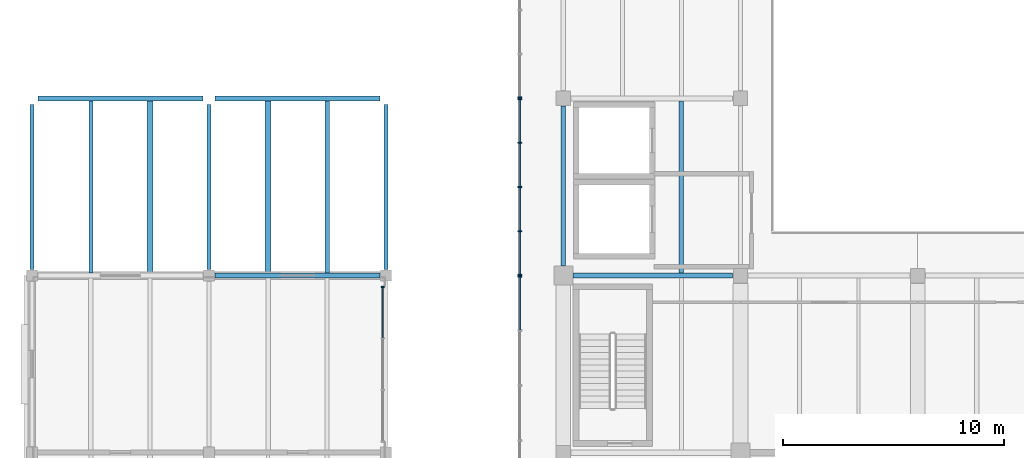
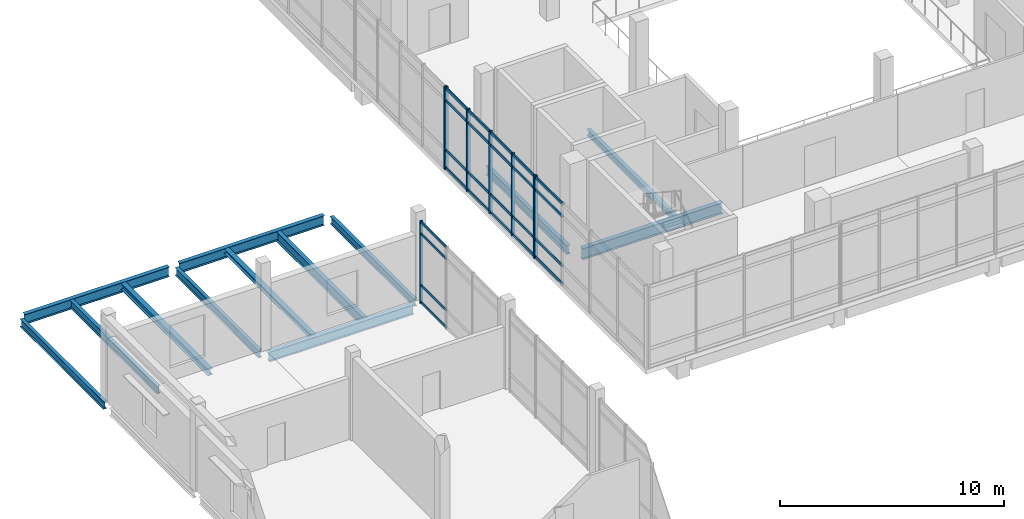
# One storey, part 5 of 28: 32 members, 13 beams, 4 elements without a shape of their own.
"""IFC4 building model written with IfcOpenShell, lengths in metres."""

from ifc_helpers import new_model, si_unit, direction, frame, origin, origin_2d, place, context, subcontext, project, spatial, rectangle, i_section, extrude, material, material_profile, profile_set, type_object, element, aggregate, save


model = new_model("IFC4")

# Units and contexts
model_context = context("Model", 3, precision=1e-05, world=origin(), true_north=direction((0.0, 1.0)))
body_context = subcontext(model_context, "Body", "Model", "MODEL_VIEW")
ifc_project = project(units=[si_unit("LENGTHUNIT", "METRE"), si_unit("AREAUNIT", "SQUARE_METRE"), si_unit("VOLUMEUNIT", "CUBIC_METRE"), si_unit("PLANEANGLEUNIT", "RADIAN"), si_unit("MASSUNIT", "GRAM", prefix="KILO")], contexts=[model_context])

# Site, building, storey
site_placement = place(None, origin())
site = spatial("IfcSite", under=ifc_project, at=site_placement, CompositionType="ELEMENT")
building_placement = place(site_placement, origin())
building = spatial("IfcBuilding", under=site, at=building_placement, Name="Pecanmere Concourse Central Library", CompositionType="ELEMENT")
storey_placement = place(building_placement, frame((0.0, 0.0, 20.10009765625)))
storey = spatial("IfcBuildingStorey", under=building, at=storey_placement, Name="L05", CompositionType="ELEMENT", Elevation=20.10009765625)

# Curtain wall, member
ifc_material_1 = material(Name="Clear anodized aluminium alloy 6063-T6", Category="aluminium")
curtain_wall_type_1 = type_object("IfcCurtainWallType", Name="CW_CLOISTER_GLAZ", PredefinedType="USERDEFINED", material=ifc_material_1)
curtain_wall_1_placement = place(storey_placement, origin())
curtain_wall_1 = element("IfcCurtainWall", 1, at=curtain_wall_1_placement, inside=storey, type_object=curtain_wall_type_1, Name="Unitised Curtain Wall CW-04 L05-162", ObjectType="UNITISED CURTAIN WALL", PredefinedType="USERDEFINED")
ifc_material_2 = material(Name="Clear anodized aluminium alloy 6063-T6", Category="aluminium")
ifc_material_profile_1 = material_profile(ifc_material_2, rectangle(XDim=0.06005859375, YDim=0.14990234375, at=origin_2d()), Name="AL 60x150")
ifc_profile_set_1 = profile_set([ifc_material_profile_1], Name="Clear anodized aluminium alloy 6063-T6")
member_type_1 = type_object("IfcMemberType", Name="CWM_150x60", PredefinedType="MULLION", material=ifc_profile_set_1)
member_1_placement = place(storey_placement, frame((63.85009765625, 97.489990234375, 0.0), z_axis=(0.0, 0.0, 1.0), x_axis=(0.0, 1.0, 0.0)))
member_1 = element("IfcMember", 2, at=member_1_placement, type_object=member_type_1, Name="CW-04 Mullion 4", PredefinedType="MULLION", context=body_context, shape_type="SweptSolid", body=[
    extrude(rectangle(XDim=0.06005859375, YDim=0.14990234375, at=origin_2d()), origin(), (0.0, 0.0, 1.0), 4.5),
])

ifc_material_3 = material(Name="Anodized bronze aluminium alloy 6063-T6", Category="aluminium")
curtain_wall_type_2 = type_object("IfcCurtainWallType", Name="CW_PLUMB_BANDED", PredefinedType="USERDEFINED", material=ifc_material_3)
curtain_wall_2_placement = place(storey_placement, origin())
curtain_wall_2 = element("IfcCurtainWall", 3, at=curtain_wall_2_placement, inside=storey, type_object=curtain_wall_type_2, Name="Unitised Curtain Wall CW-02 L05-067", ObjectType="UNITISED CURTAIN WALL", PredefinedType="USERDEFINED")
ifc_material_4 = material(Name="Anodized bronze aluminium alloy 6063-T6", Category="aluminium")
ifc_material_profile_2 = material_profile(ifc_material_4, rectangle(XDim=0.06494140625, YDim=0.179931640625, at=origin_2d()), Name="AL 65x180")
ifc_profile_set_2 = profile_set([ifc_material_profile_2], Name="Anodized bronze aluminium alloy 6063-T6")
member_type_2 = type_object("IfcMemberType", Name="CWM_180x65", PredefinedType="MULLION", material=ifc_profile_set_2)
member_2_placement = place(storey_placement, frame((70.03857421875, 106.03759765625, 0.0), z_axis=(0.0, 0.0, 1.0), x_axis=(0.0, -1.0, 0.0)))
member_2 = element("IfcMember", 4, at=member_2_placement, type_object=member_type_2, Name="CW-02 Mullion 5", PredefinedType="MULLION", context=body_context, shape_type="SweptSolid", body=[
    extrude(rectangle(XDim=0.06494140625, YDim=0.179931640625, at=origin_2d()), origin(), (0.0, 0.0, 1.0), 4.5),
])
aggregate(curtain_wall_2, [member_2])

# Curtain wall, members
curtain_wall_3_placement = place(storey_placement, origin())
curtain_wall_3 = element("IfcCurtainWall", 5, at=curtain_wall_3_placement, inside=storey, type_object=curtain_wall_type_2, Name="Unitised Curtain Wall CW-02 L05-068", ObjectType="UNITISED CURTAIN WALL", PredefinedType="USERDEFINED")
member_3_placement = place(storey_placement, frame((70.03857421875, 105.96240234375, 0.0), z_axis=(0.0, 0.0, 1.0), x_axis=(0.0, -1.0, 0.0)))
member_3 = element("IfcMember", 6, at=member_3_placement, type_object=member_type_2, Name="CW-02 Mullion 1", PredefinedType="MULLION", context=body_context, shape_type="SweptSolid", body=[
    extrude(rectangle(XDim=0.06494140625, YDim=0.179931640625, at=origin_2d()), origin(), (0.0, 0.0, 1.0), 4.5),
])
member_4_placement = place(storey_placement, frame((70.03857421875, 103.99755859375, 0.0), z_axis=(0.0, 0.0, 1.0), x_axis=(0.0, -1.0, 0.0)))
member_4 = element("IfcMember", 7, at=member_4_placement, type_object=member_type_2, Name="CW-02 Mullion 2", PredefinedType="MULLION", context=body_context, shape_type="SweptSolid", body=[
    extrude(rectangle(XDim=0.06494140625, YDim=0.179931640625, at=origin_2d()), origin(), (0.0, 0.0, 1.0), 4.5),
])
member_5_placement = place(storey_placement, frame((70.03857421875, 102.0, 0.0), z_axis=(0.0, 0.0, 1.0), x_axis=(0.0, -1.0, 0.0)))
member_5 = element("IfcMember", 8, at=member_5_placement, type_object=member_type_2, Name="CW-02 Mullion 3", PredefinedType="MULLION", context=body_context, shape_type="SweptSolid", body=[
    extrude(rectangle(XDim=0.06494140625, YDim=0.179931640625, at=origin_2d()), origin(), (0.0, 0.0, 1.0), 4.5),
])
member_6_placement = place(storey_placement, frame((70.03857421875, 100.00244140625, 0.0), z_axis=(0.0, 0.0, 1.0), x_axis=(0.0, -1.0, 0.0)))
member_6 = element("IfcMember", 9, at=member_6_placement, type_object=member_type_2, Name="CW-02 Mullion 4", PredefinedType="MULLION", context=body_context, shape_type="SweptSolid", body=[
    extrude(rectangle(XDim=0.06494140625, YDim=0.179931640625, at=origin_2d()), origin(), (0.0, 0.0, 1.0), 4.5),
])
member_7_placement = place(storey_placement, frame((70.03857421875, 98.03759765625, 0.0), z_axis=(0.0, 0.0, 1.0), x_axis=(0.0, -1.0, 0.0)))
member_7 = element("IfcMember", 10, at=member_7_placement, type_object=member_type_2, Name="CW-02 Mullion 5", PredefinedType="MULLION", context=body_context, shape_type="SweptSolid", body=[
    extrude(rectangle(XDim=0.06494140625, YDim=0.179931640625, at=origin_2d()), origin(), (0.0, 0.0, 1.0), 4.5),
])

# Curtain wall, member
curtain_wall_4_placement = place(storey_placement, origin())
curtain_wall_4 = element("IfcCurtainWall", 11, at=curtain_wall_4_placement, inside=storey, type_object=curtain_wall_type_2, Name="Unitised Curtain Wall CW-02 L05-069", ObjectType="UNITISED CURTAIN WALL", PredefinedType="USERDEFINED")
member_8_placement = place(storey_placement, frame((70.03857421875, 97.96240234375, 0.0), z_axis=(0.0, 0.0, 1.0), x_axis=(0.0, -1.0, 0.0)))
member_8 = element("IfcMember", 12, at=member_8_placement, type_object=member_type_2, Name="CW-02 Mullion 1", PredefinedType="MULLION", context=body_context, shape_type="SweptSolid", body=[
    extrude(rectangle(XDim=0.06494140625, YDim=0.179931640625, at=origin_2d()), origin(), (0.0, 0.0, 1.0), 4.5),
])

# Member
ifc_material_5 = material(Name="Clear anodized aluminium alloy 6063-T6", Category="aluminium")
ifc_material_profile_3 = material_profile(ifc_material_5, rectangle(XDim=0.054931640625, YDim=0.139892578125, at=origin_2d()), Name="AL 55x140")
ifc_profile_set_3 = profile_set([ifc_material_profile_3], Name="Clear anodized aluminium alloy 6063-T6")
member_type_3 = type_object("IfcMemberType", Name="CWT_140x55", PredefinedType="USERDEFINED", material=ifc_profile_set_3)
member_9_placement = place(storey_placement, frame((63.85009765625, 95.203369140625, 0.06982421875), z_axis=(0.0, 1.0, 0.0), x_axis=(-1.0, 0.0, 0.0)))
member_9 = element("IfcMember", 13, at=member_9_placement, type_object=member_type_3, Name="CW-04 Transom 3.1", ObjectType="TRANSOM", PredefinedType="USERDEFINED", context=body_context, shape_type="SweptSolid", body=[
    extrude(rectangle(XDim=0.054931640625, YDim=0.139892578125, at=origin_2d()), origin(), (0.0, 0.0, 1.0), 2.256591796875),
])

member_10_placement = place(storey_placement, frame((63.85009765625, 95.203369140625, 1.0), z_axis=(0.0, 1.0, 0.0), x_axis=(-1.0, 0.0, 0.0)))
member_10 = element("IfcMember", 14, at=member_10_placement, type_object=member_type_3, Name="CW-04 Transom 3.2", ObjectType="TRANSOM", PredefinedType="USERDEFINED", context=body_context, shape_type="SweptSolid", body=[
    extrude(rectangle(XDim=0.054931640625, YDim=0.139892578125, at=origin_2d()), origin(), (0.0, 0.0, 1.0), 2.256591796875),
])

member_11_placement = place(storey_placement, frame((63.85009765625, 95.203369140625, 3.7998046875), z_axis=(0.0, 1.0, 0.0), x_axis=(-1.0, 0.0, 0.0)))
member_11 = element("IfcMember", 15, at=member_11_placement, type_object=member_type_3, Name="CW-04 Transom 3.3", ObjectType="TRANSOM", PredefinedType="USERDEFINED", context=body_context, shape_type="SweptSolid", body=[
    extrude(rectangle(XDim=0.054931640625, YDim=0.139892578125, at=origin_2d()), origin(), (0.0, 0.0, 1.0), 2.256591796875),
])

member_12_placement = place(storey_placement, frame((63.85009765625, 95.203369140625, 4.429931640625), z_axis=(0.0, 1.0, 0.0), x_axis=(-1.0, 0.0, 0.0)))
member_12 = element("IfcMember", 16, at=member_12_placement, type_object=member_type_3, Name="CW-04 Transom 3.4", ObjectType="TRANSOM", PredefinedType="USERDEFINED", context=body_context, shape_type="SweptSolid", body=[
    extrude(rectangle(XDim=0.054931640625, YDim=0.139892578125, at=origin_2d()), origin(), (0.0, 0.0, 1.0), 2.256591796875),
])

aggregate(curtain_wall_1, [member_1, member_9, member_10, member_11, member_12])

ifc_material_6 = material(Name="Anodized bronze aluminium alloy 6063-T6", Category="aluminium")
ifc_material_profile_4 = material_profile(ifc_material_6, rectangle(XDim=0.06005859375, YDim=0.159912109375, at=origin_2d()), Name="AL 60x160")
ifc_profile_set_4 = profile_set([ifc_material_profile_4], Name="Anodized bronze aluminium alloy 6063-T6")
member_type_4 = type_object("IfcMemberType", Name="CWT_160x60", PredefinedType="USERDEFINED", material=ifc_profile_set_4)
member_13_placement = place(storey_placement, frame((70.03857421875, 105.929931640625, 0.079833984375), z_axis=(0.0, -1.0, 0.0), x_axis=(1.0, 0.0, 0.0)))
member_13 = element("IfcMember", 17, at=member_13_placement, type_object=member_type_4, Name="CW-02 Transom 1.1", ObjectType="TRANSOM", PredefinedType="USERDEFINED", context=body_context, shape_type="SweptSolid", body=[
    extrude(rectangle(XDim=0.06005859375, YDim=0.159912109375, at=origin_2d()), origin(), (0.0, 0.0, 1.0), 1.89990234375),
])

member_14_placement = place(storey_placement, frame((70.03857421875, 105.929931640625, 1.0498046875), z_axis=(0.0, -1.0, 0.0), x_axis=(1.0, 0.0, 0.0)))
member_14 = element("IfcMember", 18, at=member_14_placement, type_object=member_type_4, Name="CW-02 Transom 1.2", ObjectType="TRANSOM", PredefinedType="USERDEFINED", context=body_context, shape_type="SweptSolid", body=[
    extrude(rectangle(XDim=0.06005859375, YDim=0.159912109375, at=origin_2d()), origin(), (0.0, 0.0, 1.0), 1.89990234375),
])

member_15_placement = place(storey_placement, frame((70.03857421875, 105.929931640625, 3.75), z_axis=(0.0, -1.0, 0.0), x_axis=(1.0, 0.0, 0.0)))
member_15 = element("IfcMember", 19, at=member_15_placement, type_object=member_type_4, Name="CW-02 Transom 1.3", ObjectType="TRANSOM", PredefinedType="USERDEFINED", context=body_context, shape_type="SweptSolid", body=[
    extrude(rectangle(XDim=0.06005859375, YDim=0.159912109375, at=origin_2d()), origin(), (0.0, 0.0, 1.0), 1.89990234375),
])

member_16_placement = place(storey_placement, frame((70.03857421875, 105.929931640625, 4.419921875), z_axis=(0.0, -1.0, 0.0), x_axis=(1.0, 0.0, 0.0)))
member_16 = element("IfcMember", 20, at=member_16_placement, type_object=member_type_4, Name="CW-02 Transom 1.4", ObjectType="TRANSOM", PredefinedType="USERDEFINED", context=body_context, shape_type="SweptSolid", body=[
    extrude(rectangle(XDim=0.06005859375, YDim=0.159912109375, at=origin_2d()), origin(), (0.0, 0.0, 1.0), 1.89990234375),
])

member_17_placement = place(storey_placement, frame((70.03857421875, 103.965087890625, 0.079833984375), z_axis=(0.0, -1.0, 0.0), x_axis=(1.0, 0.0, 0.0)))
member_17 = element("IfcMember", 21, at=member_17_placement, type_object=member_type_4, Name="CW-02 Transom 2.1", ObjectType="TRANSOM", PredefinedType="USERDEFINED", context=body_context, shape_type="SweptSolid", body=[
    extrude(rectangle(XDim=0.06005859375, YDim=0.159912109375, at=origin_2d()), origin(), (0.0, 0.0, 1.0), 1.9326171875),
])

member_18_placement = place(storey_placement, frame((70.03857421875, 103.965087890625, 1.0498046875), z_axis=(0.0, -1.0, 0.0), x_axis=(1.0, 0.0, 0.0)))
member_18 = element("IfcMember", 22, at=member_18_placement, type_object=member_type_4, Name="CW-02 Transom 2.2", ObjectType="TRANSOM", PredefinedType="USERDEFINED", context=body_context, shape_type="SweptSolid", body=[
    extrude(rectangle(XDim=0.06005859375, YDim=0.159912109375, at=origin_2d()), origin(), (0.0, 0.0, 1.0), 1.9326171875),
])

member_19_placement = place(storey_placement, frame((70.03857421875, 103.965087890625, 3.75), z_axis=(0.0, -1.0, 0.0), x_axis=(1.0, 0.0, 0.0)))
member_19 = element("IfcMember", 23, at=member_19_placement, type_object=member_type_4, Name="CW-02 Transom 2.3", ObjectType="TRANSOM", PredefinedType="USERDEFINED", context=body_context, shape_type="SweptSolid", body=[
    extrude(rectangle(XDim=0.06005859375, YDim=0.159912109375, at=origin_2d()), origin(), (0.0, 0.0, 1.0), 1.9326171875),
])

member_20_placement = place(storey_placement, frame((70.03857421875, 103.965087890625, 4.419921875), z_axis=(0.0, -1.0, 0.0), x_axis=(1.0, 0.0, 0.0)))
member_20 = element("IfcMember", 24, at=member_20_placement, type_object=member_type_4, Name="CW-02 Transom 2.4", ObjectType="TRANSOM", PredefinedType="USERDEFINED", context=body_context, shape_type="SweptSolid", body=[
    extrude(rectangle(XDim=0.06005859375, YDim=0.159912109375, at=origin_2d()), origin(), (0.0, 0.0, 1.0), 1.9326171875),
])

member_21_placement = place(storey_placement, frame((70.03857421875, 101.967529296875, 0.079833984375), z_axis=(0.0, -1.0, 0.0), x_axis=(1.0, 0.0, 0.0)))
member_21 = element("IfcMember", 25, at=member_21_placement, type_object=member_type_4, Name="CW-02 Transom 3.1", ObjectType="TRANSOM", PredefinedType="USERDEFINED", context=body_context, shape_type="SweptSolid", body=[
    extrude(rectangle(XDim=0.06005859375, YDim=0.159912109375, at=origin_2d()), origin(), (0.0, 0.0, 1.0), 1.9326171875),
])

member_22_placement = place(storey_placement, frame((70.03857421875, 101.967529296875, 1.0498046875), z_axis=(0.0, -1.0, 0.0), x_axis=(1.0, 0.0, 0.0)))
member_22 = element("IfcMember", 26, at=member_22_placement, type_object=member_type_4, Name="CW-02 Transom 3.2", ObjectType="TRANSOM", PredefinedType="USERDEFINED", context=body_context, shape_type="SweptSolid", body=[
    extrude(rectangle(XDim=0.06005859375, YDim=0.159912109375, at=origin_2d()), origin(), (0.0, 0.0, 1.0), 1.9326171875),
])

member_23_placement = place(storey_placement, frame((70.03857421875, 101.967529296875, 3.75), z_axis=(0.0, -1.0, 0.0), x_axis=(1.0, 0.0, 0.0)))
member_23 = element("IfcMember", 27, at=member_23_placement, type_object=member_type_4, Name="CW-02 Transom 3.3", ObjectType="TRANSOM", PredefinedType="USERDEFINED", context=body_context, shape_type="SweptSolid", body=[
    extrude(rectangle(XDim=0.06005859375, YDim=0.159912109375, at=origin_2d()), origin(), (0.0, 0.0, 1.0), 1.9326171875),
])

member_24_placement = place(storey_placement, frame((70.03857421875, 101.967529296875, 4.419921875), z_axis=(0.0, -1.0, 0.0), x_axis=(1.0, 0.0, 0.0)))
member_24 = element("IfcMember", 28, at=member_24_placement, type_object=member_type_4, Name="CW-02 Transom 3.4", ObjectType="TRANSOM", PredefinedType="USERDEFINED", context=body_context, shape_type="SweptSolid", body=[
    extrude(rectangle(XDim=0.06005859375, YDim=0.159912109375, at=origin_2d()), origin(), (0.0, 0.0, 1.0), 1.9326171875),
])

member_25_placement = place(storey_placement, frame((70.03857421875, 99.969970703125, 0.079833984375), z_axis=(0.0, -1.0, 0.0), x_axis=(1.0, 0.0, 0.0)))
member_25 = element("IfcMember", 29, at=member_25_placement, type_object=member_type_4, Name="CW-02 Transom 4.1", ObjectType="TRANSOM", PredefinedType="USERDEFINED", context=body_context, shape_type="SweptSolid", body=[
    extrude(rectangle(XDim=0.06005859375, YDim=0.159912109375, at=origin_2d()), origin(), (0.0, 0.0, 1.0), 1.89990234375),
])

member_26_placement = place(storey_placement, frame((70.03857421875, 99.969970703125, 1.0498046875), z_axis=(0.0, -1.0, 0.0), x_axis=(1.0, 0.0, 0.0)))
member_26 = element("IfcMember", 30, at=member_26_placement, type_object=member_type_4, Name="CW-02 Transom 4.2", ObjectType="TRANSOM", PredefinedType="USERDEFINED", context=body_context, shape_type="SweptSolid", body=[
    extrude(rectangle(XDim=0.06005859375, YDim=0.159912109375, at=origin_2d()), origin(), (0.0, 0.0, 1.0), 1.89990234375),
])

member_27_placement = place(storey_placement, frame((70.03857421875, 99.969970703125, 3.75), z_axis=(0.0, -1.0, 0.0), x_axis=(1.0, 0.0, 0.0)))
member_27 = element("IfcMember", 31, at=member_27_placement, type_object=member_type_4, Name="CW-02 Transom 4.3", ObjectType="TRANSOM", PredefinedType="USERDEFINED", context=body_context, shape_type="SweptSolid", body=[
    extrude(rectangle(XDim=0.06005859375, YDim=0.159912109375, at=origin_2d()), origin(), (0.0, 0.0, 1.0), 1.89990234375),
])

member_28_placement = place(storey_placement, frame((70.03857421875, 99.969970703125, 4.419921875), z_axis=(0.0, -1.0, 0.0), x_axis=(1.0, 0.0, 0.0)))
member_28 = element("IfcMember", 32, at=member_28_placement, type_object=member_type_4, Name="CW-02 Transom 4.4", ObjectType="TRANSOM", PredefinedType="USERDEFINED", context=body_context, shape_type="SweptSolid", body=[
    extrude(rectangle(XDim=0.06005859375, YDim=0.159912109375, at=origin_2d()), origin(), (0.0, 0.0, 1.0), 1.89990234375),
])

aggregate(curtain_wall_3, [member_3, member_4, member_5, member_6, member_7, member_13, member_14, member_15, member_16, member_17, member_18, member_19, member_20, member_21, member_22, member_23, member_24, member_25, member_26, member_27, member_28])

member_29_placement = place(storey_placement, frame((70.03857421875, 97.929931640625, 0.079833984375), z_axis=(0.0, -1.0, 0.0), x_axis=(1.0, 0.0, 0.0)))
member_29 = element("IfcMember", 33, at=member_29_placement, type_object=member_type_4, Name="CW-02 Transom 1.1", ObjectType="TRANSOM", PredefinedType="USERDEFINED", context=body_context, shape_type="SweptSolid", body=[
    extrude(rectangle(XDim=0.06005859375, YDim=0.159912109375, at=origin_2d()), origin(), (0.0, 0.0, 1.0), 2.381591796875),
])

member_30_placement = place(storey_placement, frame((70.03857421875, 97.929931640625, 1.0498046875), z_axis=(0.0, -1.0, 0.0), x_axis=(1.0, 0.0, 0.0)))
member_30 = element("IfcMember", 34, at=member_30_placement, type_object=member_type_4, Name="CW-02 Transom 1.2", ObjectType="TRANSOM", PredefinedType="USERDEFINED", context=body_context, shape_type="SweptSolid", body=[
    extrude(rectangle(XDim=0.06005859375, YDim=0.159912109375, at=origin_2d()), origin(), (0.0, 0.0, 1.0), 2.381591796875),
])

member_31_placement = place(storey_placement, frame((70.03857421875, 97.929931640625, 3.75), z_axis=(0.0, -1.0, 0.0), x_axis=(1.0, 0.0, 0.0)))
member_31 = element("IfcMember", 35, at=member_31_placement, type_object=member_type_4, Name="CW-02 Transom 1.3", ObjectType="TRANSOM", PredefinedType="USERDEFINED", context=body_context, shape_type="SweptSolid", body=[
    extrude(rectangle(XDim=0.06005859375, YDim=0.159912109375, at=origin_2d()), origin(), (0.0, 0.0, 1.0), 2.381591796875),
])

member_32_placement = place(storey_placement, frame((70.03857421875, 97.929931640625, 4.419921875), z_axis=(0.0, -1.0, 0.0), x_axis=(1.0, 0.0, 0.0)))
member_32 = element("IfcMember", 36, at=member_32_placement, type_object=member_type_4, Name="CW-02 Transom 1.4", ObjectType="TRANSOM", PredefinedType="USERDEFINED", context=body_context, shape_type="SweptSolid", body=[
    extrude(rectangle(XDim=0.06005859375, YDim=0.159912109375, at=origin_2d()), origin(), (0.0, 0.0, 1.0), 2.381591796875),
])

aggregate(curtain_wall_4, [member_8, member_29, member_30, member_31, member_32])

# Beams
ifc_material_7 = material(Name="Structural steel ASTM A992 Grade 50", Category="steel")
ifc_material_profile_5 = material_profile(ifc_material_7, i_section(OverallWidth=0.25390625, OverallDepth=0.2529296875, WebThickness=0.008544921875, FlangeThickness=0.01416015625, at=origin_2d()), Name="W250x73")
ifc_profile_set_5 = profile_set([ifc_material_profile_5], Name="Structural steel ASTM A992 Grade 50")
beam_type_1 = type_object("IfcBeamType", Name="SBM_W250x73", PredefinedType="BEAM", material=ifc_profile_set_5)
beam_1_placement = place(storey_placement, frame((58.666748046875, 98.10546875, -0.406494140625), z_axis=(0.0, 1.0, 0.0), x_axis=(-1.0, 0.0, 0.0)))
element("IfcBeam", 37, at=beam_1_placement, inside=storey, type_object=beam_type_1, Name="Secondary Floor Joist L05-2578", PredefinedType="BEAM", context=body_context, shape_type="SweptSolid", body=[
    extrude(i_section(OverallWidth=0.25390625, OverallDepth=0.2529296875, WebThickness=0.008544921875, FlangeThickness=0.01416015625, at=origin_2d()), origin(), (0.0, 0.0, 1.0), 7.7890625),
])
ifc_material_8 = material(Name="Structural steel ASTM A992 Grade 50", Category="steel")
ifc_material_profile_6 = material_profile(ifc_material_8, i_section(OverallWidth=0.202880859375, OverallDepth=0.346923828125, WebThickness=0.0078125, FlangeThickness=0.013427734375, at=origin_2d()), Name="W360x64")
ifc_profile_set_6 = profile_set([ifc_material_profile_6], Name="Structural steel ASTM A992 Grade 50")
beam_type_2 = type_object("IfcBeamType", Name="SBM_W360x64", PredefinedType="JOIST", material=ifc_profile_set_6)
beam_2_placement = place(storey_placement, frame((77.333251953125, 98.114990234375, -0.45361328125), z_axis=(0.0, 1.0, 0.0), x_axis=(-1.0, 0.0, 0.0)))
element("IfcBeam", 38, at=beam_2_placement, inside=storey, type_object=beam_type_2, Name="Secondary Floor Joist L05-2581", PredefinedType="JOIST", context=body_context, shape_type="SweptSolid", body=[
    extrude(i_section(OverallWidth=0.202880859375, OverallDepth=0.346923828125, WebThickness=0.0078125, FlangeThickness=0.013427734375, at=origin_2d()), origin(), (0.0, 0.0, 1.0), 7.77001953125),
])
ifc_material_9 = material(Name="Structural steel ASTM A992 Grade 50", Category="steel")
ifc_material_profile_7 = material_profile(ifc_material_9, i_section(OverallWidth=0.25390625, OverallDepth=0.35302734375, WebThickness=0.009521484375, FlangeThickness=0.016357421875, at=origin_2d()), Name="W360x91")
ifc_profile_set_7 = profile_set([ifc_material_profile_7], Name="Structural steel ASTM A992 Grade 50")
beam_type_3 = type_object("IfcBeamType", Name="SBM_W360x91", PredefinedType="BEAM", material=ifc_profile_set_7)
beam_3_placement = place(storey_placement, frame((53.333251953125, 98.10546875, -0.45654296875), z_axis=(0.0, 1.0, 0.0), x_axis=(-1.0, 0.0, 0.0)))
element("IfcBeam", 39, at=beam_3_placement, inside=storey, type_object=beam_type_3, Name="Secondary Floor Joist L05-2567", PredefinedType="BEAM", context=body_context, shape_type="SweptSolid", body=[
    extrude(i_section(OverallWidth=0.25390625, OverallDepth=0.35302734375, WebThickness=0.009521484375, FlangeThickness=0.016357421875, at=origin_2d()), origin(), (0.0, 0.0, 1.0), 7.7890625),
])
ifc_material_10 = material(Name="Structural steel ASTM A992 Grade 50", Category="steel")
ifc_material_profile_8 = material_profile(ifc_material_10, i_section(OverallWidth=0.180908203125, OverallDepth=0.4169921875, WebThickness=0.010986328125, FlangeThickness=0.018310546875, at=origin_2d()), Name="W410x85")
ifc_profile_set_8 = profile_set([ifc_material_profile_8], Name="Structural steel ASTM A992 Grade 50")
beam_type_4 = type_object("IfcBeamType", Name="SBM_W410x85", PredefinedType="BEAM", material=ifc_profile_set_8)
for number, where, z_axis, x_axis, name in (
    (40, (48.0, 98.27490234375, -0.488525390625), (0.0, 1.0, 0.0), (-1.0, 0.0, 0.0), "Primary Girder Y L05-2490"),
    (41, (56.0, 98.27490234375, -0.488525390625), (0.0, 1.0, 0.0), (-1.0, 0.0, 0.0), "Primary Girder Y L05-2497"),
    (42, (64.0, 98.27490234375, -0.488525390625), (0.0, 1.0, 0.0), (-1.0, 0.0, 0.0), "Primary Girder Y L05-2504"),
):
    element("IfcBeam", number, at=place(storey_placement, frame(where, z_axis=z_axis, x_axis=x_axis)), inside=storey, type_object=beam_type_4, Name=name, PredefinedType="BEAM", context=body_context, shape_type="SweptSolid", body=[
        extrude(i_section(OverallWidth=0.180908203125, OverallDepth=0.4169921875, WebThickness=0.010986328125, FlangeThickness=0.018310546875, at=origin_2d()), origin(), (0.0, 0.0, 1.0), 7.4501953125),
    ])
beam_4_placement = place(storey_placement, frame((50.666748046875, 98.10546875, -0.488525390625), z_axis=(0.0, 1.0, 0.0), x_axis=(-1.0, 0.0, 0.0)))
element("IfcBeam", 43, at=beam_4_placement, inside=storey, type_object=beam_type_4, Name="Secondary Floor Joist L05-2566", PredefinedType="BEAM", context=body_context, shape_type="SweptSolid", body=[
    extrude(i_section(OverallWidth=0.180908203125, OverallDepth=0.4169921875, WebThickness=0.010986328125, FlangeThickness=0.018310546875, at=origin_2d()), origin(), (0.0, 0.0, 1.0), 7.7890625),
])
ifc_material_11 = material(Name="Structural steel ASTM A992 Grade 50", Category="steel")
ifc_material_profile_9 = material_profile(ifc_material_11, i_section(OverallWidth=0.194091796875, OverallDepth=0.468994140625, WebThickness=0.0126953125, FlangeThickness=0.0205078125, at=origin_2d()), Name="W460x106")
ifc_profile_set_9 = profile_set([ifc_material_profile_9], Name="Structural steel ASTM A992 Grade 50")
beam_type_5 = type_object("IfcBeamType", Name="SBM_W460x106", PredefinedType="USERDEFINED", material=ifc_profile_set_9)
beam_5_placement = place(storey_placement, frame((72.0, 98.429931640625, -0.5146484375), z_axis=(0.0, 1.0, 0.0), x_axis=(-1.0, 0.0, 0.0)))
element("IfcBeam", 44, at=beam_5_placement, inside=storey, type_object=beam_type_5, Name="Primary Girder Y L05-2506", ObjectType="GIRDER", PredefinedType="USERDEFINED", context=body_context, shape_type="SweptSolid", body=[
    extrude(i_section(OverallWidth=0.194091796875, OverallDepth=0.468994140625, WebThickness=0.0126953125, FlangeThickness=0.0205078125, at=origin_2d()), origin(), (0.0, 0.0, 1.0), 7.219970703125),
])
ifc_material_12 = material(Name="Structural steel ASTM A992 Grade 50", Category="steel")
ifc_material_profile_10 = material_profile(ifc_material_12, i_section(OverallWidth=0.2109375, OverallDepth=0.5390625, WebThickness=0.01171875, FlangeThickness=0.018798828125, at=origin_2d()), Name="W530x109")
ifc_profile_set_10 = profile_set([ifc_material_profile_10], Name="Structural steel ASTM A992 Grade 50")
beam_type_6 = type_object("IfcBeamType", Name="SBM_W530x109", PredefinedType="USERDEFINED", material=ifc_profile_set_10)
for number, where, z_axis, x_axis, name in (
    (45, (56.27490234375, 98.0, -0.549560546875), (1.0, 0.0, 0.0), (0.0, 1.0, 0.0), "Primary Girder X L05-2463"),
    (46, (48.27490234375, 106.0, -0.549560546875), (1.0, 0.0, 0.0), (0.0, 1.0, 0.0), "Primary Girder X L05-2470"),
    (47, (56.27490234375, 106.0, -0.549560546875), (1.0, 0.0, 0.0), (0.0, 1.0, 0.0), "Primary Girder X L05-2471"),
):
    element("IfcBeam", number, at=place(storey_placement, frame(where, z_axis=z_axis, x_axis=x_axis)), inside=storey, type_object=beam_type_6, Name=name, ObjectType="GIRDER", PredefinedType="USERDEFINED", context=body_context, shape_type="SweptSolid", body=[
        extrude(i_section(OverallWidth=0.2109375, OverallDepth=0.5390625, WebThickness=0.01171875, FlangeThickness=0.018798828125, at=origin_2d()), origin(), (0.0, 0.0, 1.0), 7.4501953125),
    ])
ifc_material_13 = material(Name="Structural steel ASTM A992 Grade 50", Category="steel")
ifc_material_profile_11 = material_profile(ifc_material_13, i_section(OverallWidth=0.208984375, OverallDepth=0.532958984375, WebThickness=0.01025390625, FlangeThickness=0.015625, at=origin_2d()), Name="W530x92")
ifc_profile_set_11 = profile_set([ifc_material_profile_11], Name="Structural steel ASTM A992 Grade 50")
beam_type_7 = type_object("IfcBeamType", Name="SBM_W530x92", PredefinedType="BEAM", material=ifc_profile_set_11)
beam_6_placement = place(storey_placement, frame((61.333251953125, 98.10546875, -0.546630859375), z_axis=(0.0, 1.0, 0.0), x_axis=(-1.0, 0.0, 0.0)))
element("IfcBeam", 48, at=beam_6_placement, inside=storey, type_object=beam_type_7, Name="Secondary Floor Joist L05-2579", PredefinedType="BEAM", context=body_context, shape_type="SweptSolid", body=[
    extrude(i_section(OverallWidth=0.208984375, OverallDepth=0.532958984375, WebThickness=0.01025390625, FlangeThickness=0.015625, at=origin_2d()), origin(), (0.0, 0.0, 1.0), 7.7890625),
])
ifc_material_14 = material(Name="Structural steel ASTM A992 Grade 50", Category="steel")
ifc_material_profile_12 = material_profile(ifc_material_14, i_section(OverallWidth=0.22998046875, OverallDepth=0.616943359375, WebThickness=0.01318359375, FlangeThickness=0.022216796875, at=origin_2d()), Name="W610x140")
ifc_profile_set_12 = profile_set([ifc_material_profile_12], Name="Structural steel ASTM A992 Grade 50")
beam_type_8 = type_object("IfcBeamType", Name="SBM_W610x140", PredefinedType="USERDEFINED", material=ifc_profile_set_12)
beam_7_placement = place(storey_placement, frame((72.429931640625, 98.0, -0.588623046875), z_axis=(1.0, 0.0, 0.0), x_axis=(0.0, 1.0, 0.0)))
element("IfcBeam", 49, at=beam_7_placement, inside=storey, type_object=beam_type_8, Name="Primary Girder X L05-2464", ObjectType="GIRDER", PredefinedType="USERDEFINED", context=body_context, shape_type="SweptSolid", body=[
    extrude(i_section(OverallWidth=0.22998046875, OverallDepth=0.616943359375, WebThickness=0.01318359375, FlangeThickness=0.022216796875, at=origin_2d()), origin(), (0.0, 0.0, 1.0), 7.219970703125),
])

save(model, "model.ifc")
